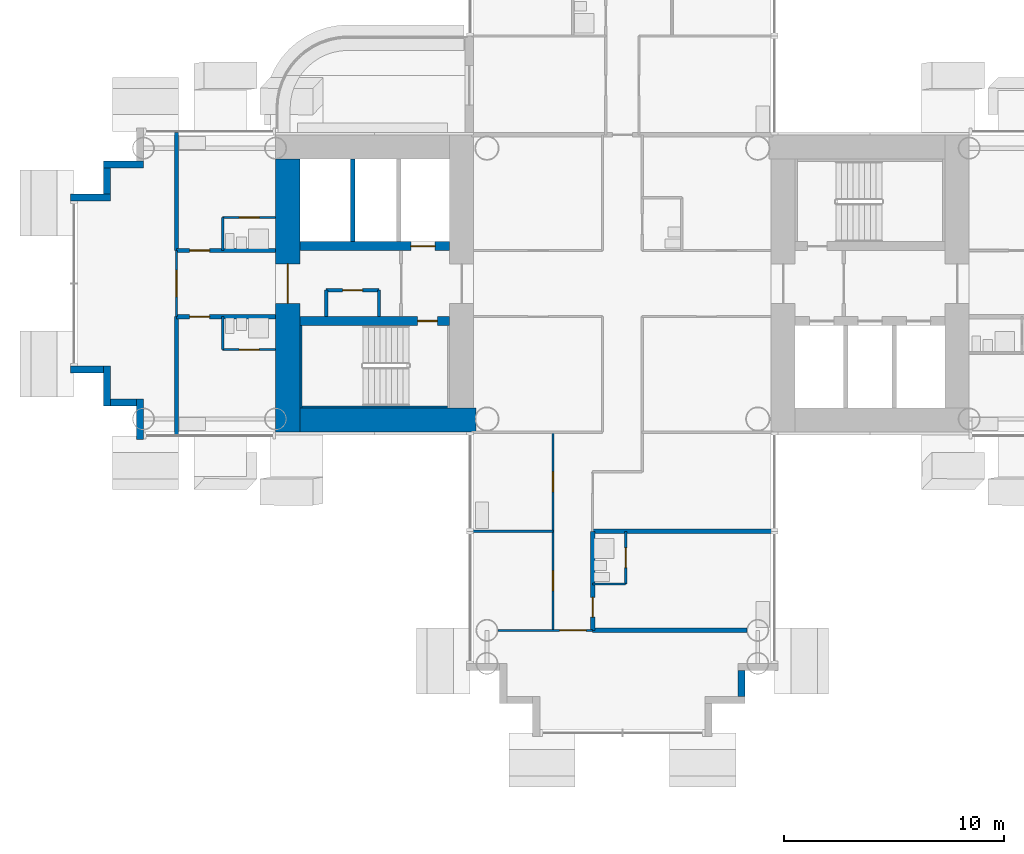
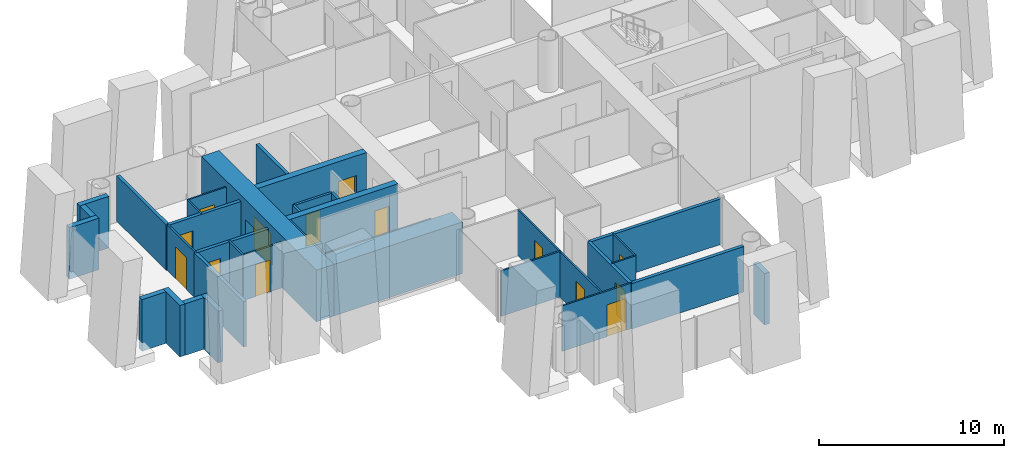
# One storey, part 10 of 25: 35 walls, 14 doors, 14 openings.
"""IFC4 building model written with IfcOpenShell, lengths in metres."""

from ifc_helpers import new_model, si_unit, direction, frame, frame_2d, origin, place, context, subcontext, project, spatial, rectangle, extrude, material, layer, layer_set, type_object, element, fill, save


model = new_model("IFC4")

# Units and contexts
model_context = context("Model", 3, precision=1e-05, world=origin(), true_north=direction((0.0, 1.0)))
body_context = subcontext(model_context, "Body", "Model", "MODEL_VIEW")
ifc_project = project(units=[si_unit("LENGTHUNIT", "METRE"), si_unit("AREAUNIT", "SQUARE_METRE"), si_unit("VOLUMEUNIT", "CUBIC_METRE"), si_unit("PLANEANGLEUNIT", "RADIAN"), si_unit("MASSUNIT", "GRAM", prefix="KILO")], contexts=[model_context])

# Site, building, storey
site_placement = place(None, origin())
site = spatial("IfcSite", under=ifc_project, at=site_placement, CompositionType="ELEMENT")
building_placement = place(site_placement, origin())
building = spatial("IfcBuilding", under=site, at=building_placement, Name="Ipe Terrace Towers", CompositionType="ELEMENT")
storey_placement = place(building_placement, frame((0.0, 0.0, 31.300048828125)))
storey = spatial("IfcBuildingStorey", under=building, at=storey_placement, Name="L07", CompositionType="ELEMENT", Elevation=31.300048828125)

# Walls
ifc_material_1 = material(Name="Concrete C40/50 with buff precast cladding", Category="concrete")
ifc_layer_1 = layer(ifc_material_1, 0.320068359375)
ifc_layer_set_1 = layer_set([ifc_layer_1], Name="BUFF CLADDING WALL 320")
wall_type_1 = type_object("IfcWallType", Name="BUFF CLADDING WALL 320", PredefinedType="STANDARD", material=ifc_layer_set_1)
wall_1_placement = place(storey_placement, frame((-61.070068359375, -3.909912109375, -0.300048828125), z_axis=(0.0, 0.0, 1.0), x_axis=(1.0, 0.0, 0.0)))
element("IfcWall", 1, at=wall_1_placement, inside=storey, type_object=wall_type_1, Name="T1-W-L07-00a wall", PredefinedType="STANDARD", context=body_context, shape_type="SweptSolid", body=[
    extrude(rectangle(XDim=1.5, YDim=0.320068359375, at=frame_2d((0.75, 0.0))), origin(), (0.0, 0.0, 1.0), 3.39990234375),
])
wall_2_placement = place(storey_placement, frame((-59.409912109375, -3.75, -0.300048828125), z_axis=(0.0, 0.0, 1.0), x_axis=(0.0, -1.0, 0.0)))
element("IfcWall", 2, at=wall_2_placement, inside=storey, type_object=wall_type_1, Name="T1-W-L07-01a wall", PredefinedType="STANDARD", context=body_context, shape_type="SweptSolid", body=[
    extrude(rectangle(XDim=1.820068359375, YDim=0.320068359375, at=frame_2d((0.91015625, 0.0))), origin(), (0.0, 0.0, 1.0), 3.39990234375),
])
wall_3_placement = place(storey_placement, frame((-59.25, -5.409912109375, -0.300048828125), z_axis=(0.0, 0.0, 1.0), x_axis=(1.0, 0.0, 0.0)))
element("IfcWall", 3, at=wall_3_placement, inside=storey, type_object=wall_type_1, Name="T1-W-L07-02a wall", PredefinedType="STANDARD", context=body_context, shape_type="SweptSolid", body=[
    extrude(rectangle(XDim=1.179931640625, YDim=0.320068359375, at=frame_2d((0.58984375, 0.0))), origin(), (0.0, 0.0, 1.0), 3.39990234375),
])
wall_4_placement = place(storey_placement, frame((-57.909912109375, -5.25, -0.300048828125), z_axis=(0.0, 0.0, 1.0), x_axis=(0.0, -1.0, 0.0)))
element("IfcWall", 4, at=wall_4_placement, inside=storey, type_object=wall_type_1, Name="T1-W-L07-03a wall", PredefinedType="STANDARD", context=body_context, shape_type="SweptSolid", body=[
    extrude(rectangle(XDim=1.820068359375, YDim=0.320068359375, at=frame_2d((0.91015625, 0.0))), origin(), (0.0, 0.0, 1.0), 3.39990234375),
])
wall_5_placement = place(storey_placement, frame((-30.590087890625, -18.75, -0.300048828125), z_axis=(0.0, 0.0, 1.0), x_axis=(0.0, 1.0, 0.0)))
element("IfcWall", 5, at=wall_5_placement, inside=storey, type_object=wall_type_1, Name="T1-W-L07-15a wall", PredefinedType="STANDARD", context=body_context, shape_type="SweptSolid", body=[
    extrude(rectangle(XDim=1.179931640625, YDim=0.320068359375, at=frame_2d((0.58984375, 0.0))), origin(), (0.0, 0.0, 1.0), 3.39990234375),
])
wall_6_placement = place(storey_placement, frame((-57.75, 5.409912109375, -0.300048828125), z_axis=(0.0, 0.0, 1.0), x_axis=(-1.0, 0.0, 0.0)))
element("IfcWall", 6, at=wall_6_placement, inside=storey, type_object=wall_type_1, Name="T1-W-L07-48a wall", PredefinedType="STANDARD", context=body_context, shape_type="SweptSolid", body=[
    extrude(rectangle(XDim=1.820068359375, YDim=0.320068359375, at=frame_2d((0.91015625, 0.0))), origin(), (0.0, 0.0, 1.0), 3.39990234375),
])
wall_7_placement = place(storey_placement, frame((-59.409912109375, 5.25, -0.300048828125), z_axis=(0.0, 0.0, 1.0), x_axis=(0.0, -1.0, 0.0)))
element("IfcWall", 7, at=wall_7_placement, inside=storey, type_object=wall_type_1, Name="T1-W-L07-49a wall", PredefinedType="STANDARD", context=body_context, shape_type="SweptSolid", body=[
    extrude(rectangle(XDim=1.179931640625, YDim=0.320068359375, at=frame_2d((0.58984375, 0.0))), origin(), (0.0, 0.0, 1.0), 3.39990234375),
])
wall_8_placement = place(storey_placement, frame((-59.25, 3.909912109375, -0.300048828125), z_axis=(0.0, 0.0, 1.0), x_axis=(-1.0, 0.0, 0.0)))
element("IfcWall", 8, at=wall_8_placement, inside=storey, type_object=wall_type_1, Name="T1-W-L07-50a wall", PredefinedType="STANDARD", context=body_context, shape_type="SweptSolid", body=[
    extrude(rectangle(XDim=1.820068359375, YDim=0.320068359375, at=frame_2d((0.91015625, 0.0))), origin(), (0.0, 0.0, 1.0), 3.39990234375),
])

# Wall, opening, door
ifc_material_2 = material(Name="Gypsum board partition", Category="plasterboard")
ifc_layer_2 = layer(ifc_material_2, 0.10009765625)
ifc_layer_set_2 = layer_set([ifc_layer_2], Name="Gypsum board partition 100 mm")
wall_type_2 = type_object("IfcWallType", Name="Gypsum board partition 100 mm", PredefinedType="PARTITIONING", material=ifc_layer_set_2)
wall_9_placement = place(storey_placement, frame((-56.25, -1.5, 0.0), z_axis=(0.0, 0.0, 1.0), x_axis=(0.0, 1.0, 0.0)))
wall_9 = element("IfcWall", 9, at=wall_9_placement, inside=storey, type_object=wall_type_2, Name="Gypsum board partition T1 L07 W01", PredefinedType="PARTITIONING", context=body_context, shape_type="SweptSolid", body=[
    extrude(rectangle(XDim=3.0, YDim=0.10009765625, at=frame_2d((1.5, 0.0))), origin(), (0.0, 0.0, 1.0), 3.0),
])
opening_1_placement = place(wall_9_placement, frame((0.89990234375, 0.0, 0.0)))
opening_1 = element("IfcOpeningElement", 10, at=opening_1_placement, cuts=wall_9, Name="Opening T1-Z1A-31", PredefinedType="OPENING", context=body_context, shape_type="SweptSolid", body=[
    extrude(rectangle(XDim=1.199951171875, YDim=2.10009765625, at=frame_2d((0.60009765625, 1.050048828125))), frame((0.0, 0.06005859375, 0.0), z_axis=(0.0, -1.0, 0.0), x_axis=(1.0, 0.0, 0.0)), (0.0, 0.0, 1.0), 0.1201171875),
])
ifc_material_3 = material(Name="Timber door leaf", Category="wood")
door_type_1 = type_object("IfcDoorType", Name="Lounge door 1200 x 2100", OperationType="NOTDEFINED", PredefinedType="DOOR", material=ifc_material_3)
door_1_placement = place(opening_1_placement, origin())
door_1 = element("IfcDoor", 11, at=door_1_placement, inside=storey, type_object=door_type_1, Name="Lounge door T1-Z1A-31", OperationType="SINGLE_SWING_LEFT", OverallHeight=2.10009765625, OverallWidth=1.199951171875, PredefinedType="DOOR", context=body_context, shape_type="SweptSolid", body=[
    extrude(rectangle(XDim=1.199951171875, YDim=2.10009765625, at=frame_2d((0.60009765625, 1.050048828125))), frame((0.0, 0.02490234375, 0.0), z_axis=(0.0, -1.0, 0.0), x_axis=(1.0, 0.0, 0.0)), (0.0, 0.0, 1.0), 0.050048828125),
])
fill(opening_1, door_1)

# Walls
for number, where, z_axis, x_axis, name in (
    (12, (-54.14990234375, -3.0, 0.0), (0.0, 0.0, 1.0), (0.0, 1.0, 0.0), "Gypsum board partition T1 L07 W04"),
    (13, (-54.14990234375, 1.5, 0.0), (0.0, 0.0, 1.0), (0.0, 1.0, 0.0), "Gypsum board partition T1 L07 W05"),
):
    element("IfcWall", number, at=place(storey_placement, frame(where, z_axis=z_axis, x_axis=x_axis)), inside=storey, type_object=wall_type_2, Name=name, PredefinedType="PARTITIONING", context=body_context, shape_type="SweptSolid", body=[
        extrude(rectangle(XDim=1.5, YDim=0.10009765625, at=frame_2d((0.75, 0.0))), origin(), (0.0, 0.0, 1.0), 3.0),
    ])

# Wall, openings, doors
wall_10_placement = place(storey_placement, frame((-39.14990234375, -15.75, 0.0), z_axis=(0.0, 0.0, 1.0), x_axis=(0.0, 1.0, 0.0)))
wall_10 = element("IfcWall", 14, at=wall_10_placement, inside=storey, type_object=wall_type_2, Name="Gypsum board partition T1 L07 W06", PredefinedType="PARTITIONING", context=body_context, shape_type="SweptSolid", body=[
    extrude(rectangle(XDim=9.0, YDim=0.10009765625, at=frame_2d((4.5, 0.0))), origin(), (0.0, 0.0, 1.0), 3.0),
])
opening_2_placement = place(wall_10_placement, frame((6.300048828125, 0.0, 0.0)))
opening_2 = element("IfcOpeningElement", 15, at=opening_2_placement, cuts=wall_10, Name="Opening T1-Z1A-19", PredefinedType="OPENING", context=body_context, shape_type="SweptSolid", body=[
    extrude(rectangle(XDim=0.89990234375, YDim=2.10009765625, at=frame_2d((0.449951171875, 1.050048828125))), frame((0.0, 0.06005859375, 0.0), z_axis=(0.0, -1.0, 0.0), x_axis=(1.0, 0.0, 0.0)), (0.0, 0.0, 1.0), 0.1201171875),
])
opening_3_placement = place(wall_10_placement, frame((1.800048828125, 0.0, 0.0)))
opening_3 = element("IfcOpeningElement", 16, at=opening_3_placement, cuts=wall_10, Name="Opening T1-Z1A-20", PredefinedType="OPENING", context=body_context, shape_type="SweptSolid", body=[
    extrude(rectangle(XDim=0.89990234375, YDim=2.10009765625, at=frame_2d((0.449951171875, 1.050048828125))), frame((0.0, 0.06005859375, 0.0), z_axis=(0.0, -1.0, 0.0), x_axis=(1.0, 0.0, 0.0)), (0.0, 0.0, 1.0), 0.1201171875),
])
ifc_material_4 = material(Name="Timber door leaf", Category="wood")
door_type_2 = type_object("IfcDoorType", Name="Lounge door 900 x 2100", OperationType="NOTDEFINED", PredefinedType="DOOR", material=ifc_material_4)
door_2_placement = place(opening_2_placement, origin())
door_2 = element("IfcDoor", 17, at=door_2_placement, inside=storey, type_object=door_type_2, Name="Lounge door T1-Z1A-19", OperationType="SINGLE_SWING_LEFT", OverallHeight=2.10009765625, OverallWidth=0.89990234375, PredefinedType="DOOR", context=body_context, shape_type="SweptSolid", body=[
    extrude(rectangle(XDim=0.89990234375, YDim=2.10009765625, at=frame_2d((0.449951171875, 1.050048828125))), frame((0.0, 0.02490234375, 0.0), z_axis=(0.0, -1.0, 0.0), x_axis=(1.0, 0.0, 0.0)), (0.0, 0.0, 1.0), 0.050048828125),
])
fill(opening_2, door_2)
door_3_placement = place(opening_3_placement, origin())
door_3 = element("IfcDoor", 18, at=door_3_placement, inside=storey, type_object=door_type_2, Name="Lounge door T1-Z1A-20", OperationType="SINGLE_SWING_RIGHT", OverallHeight=2.10009765625, OverallWidth=0.89990234375, PredefinedType="DOOR", context=body_context, shape_type="SweptSolid", body=[
    extrude(rectangle(XDim=0.89990234375, YDim=2.10009765625, at=frame_2d((0.449951171875, 1.050048828125))), frame((0.0, 0.02490234375, 0.0), z_axis=(0.0, -1.0, 0.0), x_axis=(1.0, 0.0, 0.0)), (0.0, 0.0, 1.0), 0.050048828125),
])
fill(opening_3, door_3)

# Wall, opening, door
wall_11_placement = place(storey_placement, frame((-35.85009765625, -13.64990234375, 0.0), z_axis=(0.0, 0.0, 1.0), x_axis=(0.0, 1.0, 0.0)))
wall_11 = element("IfcWall", 19, at=wall_11_placement, inside=storey, type_object=wall_type_2, Name="Gypsum board partition T1 L07 W13", PredefinedType="PARTITIONING", context=body_context, shape_type="SweptSolid", body=[
    extrude(rectangle(XDim=2.39990234375, YDim=0.10009765625, at=frame_2d((1.199951171875, 0.0))), origin(), (0.0, 0.0, 1.0), 3.0),
])
opening_4_placement = place(wall_11_placement, frame((0.75, 0.0, 0.0)))
opening_4 = element("IfcOpeningElement", 20, at=opening_4_placement, cuts=wall_11, Name="Opening T1-Z1A-18", PredefinedType="OPENING", context=body_context, shape_type="SweptSolid", body=[
    extrude(rectangle(XDim=0.89990234375, YDim=2.10009765625, at=frame_2d((0.449951171875, 1.050048828125))), frame((0.0, 0.06005859375, 0.0), z_axis=(0.0, -1.0, 0.0), x_axis=(1.0, 0.0, 0.0)), (0.0, 0.0, 1.0), 0.1201171875),
])
ifc_material_5 = material(Name="Timber door leaf", Category="wood")
door_type_3 = type_object("IfcDoorType", Name="Bathroom door 900 x 2100", OperationType="NOTDEFINED", PredefinedType="DOOR", material=ifc_material_5)
door_4_placement = place(opening_4_placement, origin())
door_4 = element("IfcDoor", 21, at=door_4_placement, inside=storey, type_object=door_type_3, Name="Bathroom door T1-Z1A-18", OperationType="SINGLE_SWING_LEFT", OverallHeight=2.10009765625, OverallWidth=0.89990234375, PredefinedType="DOOR", context=body_context, shape_type="SweptSolid", body=[
    extrude(rectangle(XDim=0.89990234375, YDim=2.10009765625, at=frame_2d((0.449951171875, 1.050048828125))), frame((0.0, 0.02490234375, 0.0), z_axis=(0.0, -1.0, 0.0), x_axis=(1.0, 0.0, 0.0)), (0.0, 0.0, 1.0), 0.050048828125),
])
fill(opening_4, door_4)

wall_12_placement = place(storey_placement, frame((-41.64990234375, -15.75, 0.0), z_axis=(0.0, 0.0, 1.0), x_axis=(1.0, 0.0, 0.0)))
wall_12 = element("IfcWall", 22, at=wall_12_placement, inside=storey, type_object=wall_type_2, Name="Gypsum board partition T1 L07 W22", PredefinedType="PARTITIONING", context=body_context, shape_type="SweptSolid", body=[
    extrude(rectangle(XDim=4.2998046875, YDim=0.10009765625, at=frame_2d((2.14990234375, 0.0))), origin(), (0.0, 0.0, 1.0), 3.0),
])
opening_5_placement = place(wall_12_placement, frame((2.800048828125, 0.0, 0.0)))
opening_5 = element("IfcOpeningElement", 23, at=opening_5_placement, cuts=wall_12, Name="Opening T1-Z1A-21", PredefinedType="OPENING", context=body_context, shape_type="SweptSolid", body=[
    extrude(rectangle(XDim=1.199951171875, YDim=2.10009765625, at=frame_2d((0.60009765625, 1.050048828125))), frame((0.0, 0.06005859375, 0.0), z_axis=(0.0, -1.0, 0.0), x_axis=(1.0, 0.0, 0.0)), (0.0, 0.0, 1.0), 0.1201171875),
])
door_5_placement = place(opening_5_placement, origin())
door_5 = element("IfcDoor", 24, at=door_5_placement, inside=storey, type_object=door_type_1, Name="Lounge door T1-Z1A-21", OperationType="SINGLE_SWING_RIGHT", OverallHeight=2.10009765625, OverallWidth=1.199951171875, PredefinedType="DOOR", context=body_context, shape_type="SweptSolid", body=[
    extrude(rectangle(XDim=1.199951171875, YDim=2.10009765625, at=frame_2d((0.60009765625, 1.050048828125))), frame((0.0, 0.02490234375, 0.0), z_axis=(0.0, -1.0, 0.0), x_axis=(1.0, 0.0, 0.0)), (0.0, 0.0, 1.0), 0.050048828125),
])
fill(opening_5, door_5)

# Walls
wall_13_placement = place(storey_placement, frame((-37.35009765625, -13.64990234375, 0.0), z_axis=(0.0, 0.0, 1.0), x_axis=(1.0, 0.0, 0.0)))
element("IfcWall", 25, at=wall_13_placement, inside=storey, type_object=wall_type_2, Name="Gypsum board partition T1 L07 W24", PredefinedType="PARTITIONING", context=body_context, shape_type="SweptSolid", body=[
    extrude(rectangle(XDim=1.5, YDim=0.10009765625, at=frame_2d((0.75, 0.0))), origin(), (0.0, 0.0, 1.0), 3.0),
])
wall_14_placement = place(storey_placement, frame((-42.85009765625, -11.25, 0.0), z_axis=(0.0, 0.0, 1.0), x_axis=(1.0, 0.0, 0.0)))
element("IfcWall", 26, at=wall_14_placement, inside=storey, type_object=wall_type_2, Name="Gypsum board partition T1 L07 W25", PredefinedType="PARTITIONING", context=body_context, shape_type="SweptSolid", body=[
    extrude(rectangle(XDim=3.7001953125, YDim=0.10009765625, at=frame_2d((1.85009765625, 0.0))), origin(), (0.0, 0.0, 1.0), 3.0),
])

# Wall, opening, door
wall_15_placement = place(storey_placement, frame((-54.14990234375, -3.0, 0.0), z_axis=(0.0, 0.0, 1.0), x_axis=(1.0, 0.0, 0.0)))
wall_15 = element("IfcWall", 27, at=wall_15_placement, inside=storey, type_object=wall_type_2, Name="Gypsum board partition T1 L07 W31", PredefinedType="PARTITIONING", context=body_context, shape_type="SweptSolid", body=[
    extrude(rectangle(XDim=2.39990234375, YDim=0.10009765625, at=frame_2d((1.199951171875, 0.0))), origin(), (0.0, 0.0, 1.0), 3.0),
])
opening_6_placement = place(wall_15_placement, frame((0.75, 0.0, 0.0)))
opening_6 = element("IfcOpeningElement", 28, at=opening_6_placement, cuts=wall_15, Name="Opening T1-Z1A-28", PredefinedType="OPENING", context=body_context, shape_type="SweptSolid", body=[
    extrude(rectangle(XDim=0.89990234375, YDim=2.10009765625, at=frame_2d((0.449951171875, 1.050048828125))), frame((0.0, 0.06005859375, 0.0), z_axis=(0.0, -1.0, 0.0), x_axis=(1.0, 0.0, 0.0)), (0.0, 0.0, 1.0), 0.1201171875),
])
door_6_placement = place(opening_6_placement, origin())
door_6 = element("IfcDoor", 29, at=door_6_placement, inside=storey, type_object=door_type_3, Name="Bathroom door T1-Z1A-28", OperationType="SINGLE_SWING_LEFT", OverallHeight=2.10009765625, OverallWidth=0.89990234375, PredefinedType="DOOR", context=body_context, shape_type="SweptSolid", body=[
    extrude(rectangle(XDim=0.89990234375, YDim=2.10009765625, at=frame_2d((0.449951171875, 1.050048828125))), frame((0.0, 0.02490234375, 0.0), z_axis=(0.0, -1.0, 0.0), x_axis=(1.0, 0.0, 0.0)), (0.0, 0.0, 1.0), 0.050048828125),
])
fill(opening_6, door_6)

wall_16_placement = place(storey_placement, frame((-54.14990234375, 3.0, 0.0), z_axis=(0.0, 0.0, 1.0), x_axis=(1.0, 0.0, 0.0)))
wall_16 = element("IfcWall", 30, at=wall_16_placement, inside=storey, type_object=wall_type_2, Name="Gypsum board partition T1 L07 W40", PredefinedType="PARTITIONING", context=body_context, shape_type="SweptSolid", body=[
    extrude(rectangle(XDim=2.39990234375, YDim=0.10009765625, at=frame_2d((1.199951171875, 0.0))), origin(), (0.0, 0.0, 1.0), 3.0),
])
opening_7_placement = place(wall_16_placement, frame((0.75, 0.0, 0.0)))
opening_7 = element("IfcOpeningElement", 31, at=opening_7_placement, cuts=wall_16, Name="Opening T1-Z1A-30", PredefinedType="OPENING", context=body_context, shape_type="SweptSolid", body=[
    extrude(rectangle(XDim=0.89990234375, YDim=2.10009765625, at=frame_2d((0.449951171875, 1.050048828125))), frame((0.0, 0.06005859375, 0.0), z_axis=(0.0, -1.0, 0.0), x_axis=(1.0, 0.0, 0.0)), (0.0, 0.0, 1.0), 0.1201171875),
])
door_7_placement = place(opening_7_placement, origin())
door_7 = element("IfcDoor", 32, at=door_7_placement, inside=storey, type_object=door_type_3, Name="Bathroom door T1-Z1A-30", OperationType="SINGLE_SWING_RIGHT", OverallHeight=2.10009765625, OverallWidth=0.89990234375, PredefinedType="DOOR", context=body_context, shape_type="SweptSolid", body=[
    extrude(rectangle(XDim=0.89990234375, YDim=2.10009765625, at=frame_2d((0.449951171875, 1.050048828125))), frame((0.0, 0.02490234375, 0.0), z_axis=(0.0, -1.0, 0.0), x_axis=(1.0, 0.0, 0.0)), (0.0, 0.0, 1.0), 0.050048828125),
])
fill(opening_7, door_7)

ifc_material_6 = material(Name="Gypsum board partition", Category="plasterboard")
ifc_layer_3 = layer(ifc_material_6, 0.14990234375)
ifc_layer_set_3 = layer_set([ifc_layer_3], Name="Gypsum board partition 150 mm")
wall_type_3 = type_object("IfcWallType", Name="Gypsum board partition 150 mm", PredefinedType="PARTITIONING", material=ifc_layer_set_3)
wall_17_placement = place(storey_placement, frame((-47.050048828125, -0.300048828125, 0.0), z_axis=(0.0, 0.0, 1.0), x_axis=(-1.0, 0.0, 0.0)))
wall_17 = element("IfcWall", 33, at=wall_17_placement, inside=storey, type_object=wall_type_3, Name="Gypsum board partition T1 L07 t1c2-cup-n-f", PredefinedType="PARTITIONING", context=body_context, shape_type="SweptSolid", body=[
    extrude(rectangle(XDim=2.39990234375, YDim=0.14990234375, at=frame_2d((1.199951171875, 0.0))), origin(), (0.0, 0.0, 1.0), 3.0),
])
opening_8_placement = place(wall_17_placement, frame((0.75, 0.0, 0.0)))
opening_8 = element("IfcOpeningElement", 34, at=opening_8_placement, cuts=wall_17, Name="Opening T1C2-SR", PredefinedType="OPENING", context=body_context, shape_type="SweptSolid", body=[
    extrude(rectangle(XDim=0.89990234375, YDim=2.10009765625, at=frame_2d((0.449951171875, 1.050048828125))), frame((0.0, 0.0849609375, 0.0), z_axis=(0.0, -1.0, 0.0), x_axis=(1.0, 0.0, 0.0)), (0.0, 0.0, 1.0), 0.169921875),
])
ifc_material_7 = material(Name="Fire-rated timber door leaf", Category="wood")
door_type_4 = type_object("IfcDoorType", Name="Service door 900 x 2100 FD60", OperationType="NOTDEFINED", PredefinedType="DOOR", material=ifc_material_7)
door_8_placement = place(opening_8_placement, origin())
door_8 = element("IfcDoor", 35, at=door_8_placement, inside=storey, type_object=door_type_4, Name="Service door T1C2-SR", OperationType="SINGLE_SWING_LEFT", OverallHeight=2.10009765625, OverallWidth=0.89990234375, PredefinedType="DOOR", context=body_context, shape_type="SweptSolid", body=[
    extrude(rectangle(XDim=0.89990234375, YDim=2.10009765625, at=frame_2d((0.449951171875, 1.050048828125))), frame((0.0, 0.02490234375, 0.0), z_axis=(0.0, -1.0, 0.0), x_axis=(1.0, 0.0, 0.0)), (0.0, 0.0, 1.0), 0.050048828125),
])
fill(opening_8, door_8)

# Walls
for number, where, z_axis, x_axis, name in (
    (36, (-47.050048828125, -0.300048828125, 0.0), (0.0, 0.0, 1.0), (0.0, -1.0, 0.0), "Gypsum board partition T1 L07 t1c2-cup-n-a"),
    (37, (-49.449951171875, -0.300048828125, 0.0), (0.0, 0.0, 1.0), (0.0, -1.0, 0.0), "Gypsum board partition T1 L07 t1c2-cup-n-b"),
):
    element("IfcWall", number, at=place(storey_placement, frame(where, z_axis=z_axis, x_axis=x_axis)), inside=storey, type_object=wall_type_3, Name=name, PredefinedType="PARTITIONING", context=body_context, shape_type="SweptSolid", body=[
        extrude(rectangle(XDim=1.199951171875, YDim=0.14990234375, at=frame_2d((0.60009765625, 0.0))), origin(), (0.0, 0.0, 1.0), 3.0),
    ])
ifc_material_8 = material(Name="Gypsum board party wall", Category="plasterboard")
ifc_layer_4 = layer(ifc_material_8, 0.199951171875)
ifc_layer_set_4 = layer_set([ifc_layer_4], Name="Gypsum board party wall 200 mm")
wall_type_4 = type_object("IfcWallType", Name="Gypsum board party wall 200 mm", PredefinedType="SOLIDWALL", material=ifc_layer_set_4)
wall_18_placement = place(storey_placement, frame((-48.25, 5.64990234375, 0.0), z_axis=(0.0, 0.0, 1.0), x_axis=(0.0, -1.0, 0.0)))
element("IfcWall", 38, at=wall_18_placement, inside=storey, type_object=wall_type_4, Name="Gypsum board party wall T1 L07 t1c2-shaft-div2", PredefinedType="SOLIDWALL", context=body_context, shape_type="SweptSolid", body=[
    extrude(rectangle(XDim=3.75, YDim=0.199951171875, at=frame_2d((1.875, 0.0))), origin(), (0.0, 0.0, 1.0), 3.0),
])
for number, where, z_axis, x_axis, name in (
    (39, (-56.25, -6.85009765625, 0.0), (0.0, 0.0, 1.0), (0.0, 1.0, 0.0), "Gypsum board party wall T1 L07 W02"),
    (40, (-56.25, 1.5, 0.0), (0.0, 0.0, 1.0), (0.0, 1.0, 0.0), "Gypsum board party wall T1 L07 W03"),
):
    element("IfcWall", number, at=place(storey_placement, frame(where, z_axis=z_axis, x_axis=x_axis)), inside=storey, type_object=wall_type_4, Name=name, PredefinedType="SOLIDWALL", context=body_context, shape_type="SweptSolid", body=[
        extrude(rectangle(XDim=5.35009765625, YDim=0.199951171875, at=frame_2d((2.675048828125, 0.0))), origin(), (0.0, 0.0, 1.0), 3.0),
    ])

# Wall, opening, door
wall_19_placement = place(storey_placement, frame((-37.35009765625, -15.75, 0.0), z_axis=(0.0, 0.0, 1.0), x_axis=(0.0, 1.0, 0.0)))
wall_19 = element("IfcWall", 41, at=wall_19_placement, inside=storey, type_object=wall_type_4, Name="Gypsum board party wall T1 L07 W09", PredefinedType="SOLIDWALL", context=body_context, shape_type="SweptSolid", body=[
    extrude(rectangle(XDim=4.5, YDim=0.199951171875, at=frame_2d((2.25, 0.0))), origin(), (0.0, 0.0, 1.0), 3.0),
])
opening_9_placement = place(wall_19_placement, frame((0.60009765625, 0.0, 0.0)))
opening_9 = element("IfcOpeningElement", 42, at=opening_9_placement, cuts=wall_19, Name="Opening T1-Z1A-17", PredefinedType="OPENING", context=body_context, shape_type="SweptSolid", body=[
    extrude(rectangle(XDim=0.89990234375, YDim=2.10009765625, at=frame_2d((0.449951171875, 1.050048828125))), frame((0.0, 0.10986328125, 0.0), z_axis=(0.0, -1.0, 0.0), x_axis=(1.0, 0.0, 0.0)), (0.0, 0.0, 1.0), 0.219970703125),
])
ifc_material_9 = material(Name="Fire-rated timber door leaf", Category="wood")
door_type_5 = type_object("IfcDoorType", Name="Flat entrance door 900 x 2100 FD30S", OperationType="NOTDEFINED", PredefinedType="DOOR", material=ifc_material_9)
door_9_placement = place(opening_9_placement, origin())
door_9 = element("IfcDoor", 43, at=door_9_placement, inside=storey, type_object=door_type_5, Name="Flat entrance door T1-Z1A-17", OperationType="SINGLE_SWING_LEFT", OverallHeight=2.10009765625, OverallWidth=0.89990234375, PredefinedType="DOOR", context=body_context, shape_type="SweptSolid", body=[
    extrude(rectangle(XDim=0.89990234375, YDim=2.10009765625, at=frame_2d((0.449951171875, 1.050048828125))), frame((0.0, 0.02490234375, 0.0), z_axis=(0.0, -1.0, 0.0), x_axis=(1.0, 0.0, 0.0)), (0.0, 0.0, 1.0), 0.050048828125),
])
fill(opening_9, door_9)

# Walls
wall_20_placement = place(storey_placement, frame((-37.35009765625, -15.75, 0.0), z_axis=(0.0, 0.0, 1.0), x_axis=(1.0, 0.0, 0.0)))
element("IfcWall", 44, at=wall_20_placement, inside=storey, type_object=wall_type_4, Name="Gypsum board party wall T1 L07 W23", PredefinedType="SOLIDWALL", context=body_context, shape_type="SweptSolid", body=[
    extrude(rectangle(XDim=7.0, YDim=0.199951171875, at=frame_2d((3.5, 0.0))), origin(), (0.0, 0.0, 1.0), 3.0),
])
wall_21_placement = place(storey_placement, frame((-37.35009765625, -11.25, 0.0), z_axis=(0.0, 0.0, 1.0), x_axis=(1.0, 0.0, 0.0)))
element("IfcWall", 45, at=wall_21_placement, inside=storey, type_object=wall_type_4, Name="Gypsum board party wall T1 L07 W26", PredefinedType="SOLIDWALL", context=body_context, shape_type="SweptSolid", body=[
    extrude(rectangle(XDim=8.2001953125, YDim=0.199951171875, at=frame_2d((4.10009765625, 0.0))), origin(), (0.0, 0.0, 1.0), 3.0),
])

# Wall, opening, door
wall_22_placement = place(storey_placement, frame((-56.25, -1.5, 0.0), z_axis=(0.0, 0.0, 1.0), x_axis=(1.0, 0.0, 0.0)))
wall_22 = element("IfcWall", 46, at=wall_22_placement, inside=storey, type_object=wall_type_4, Name="Gypsum board party wall T1 L07 W34", PredefinedType="SOLIDWALL", context=body_context, shape_type="SweptSolid", body=[
    extrude(rectangle(XDim=4.5, YDim=0.199951171875, at=frame_2d((2.25, 0.0))), origin(), (0.0, 0.0, 1.0), 3.0),
])
opening_10_placement = place(wall_22_placement, frame((0.60009765625, 0.0, 0.0)))
opening_10 = element("IfcOpeningElement", 47, at=opening_10_placement, cuts=wall_22, Name="Opening T1-Z1A-27", PredefinedType="OPENING", context=body_context, shape_type="SweptSolid", body=[
    extrude(rectangle(XDim=0.89990234375, YDim=2.10009765625, at=frame_2d((0.449951171875, 1.050048828125))), frame((0.0, 0.10986328125, 0.0), z_axis=(0.0, -1.0, 0.0), x_axis=(1.0, 0.0, 0.0)), (0.0, 0.0, 1.0), 0.219970703125),
])
door_10_placement = place(opening_10_placement, origin())
door_10 = element("IfcDoor", 48, at=door_10_placement, inside=storey, type_object=door_type_5, Name="Flat entrance door T1-Z1A-27", OperationType="SINGLE_SWING_LEFT", OverallHeight=2.10009765625, OverallWidth=0.89990234375, PredefinedType="DOOR", context=body_context, shape_type="SweptSolid", body=[
    extrude(rectangle(XDim=0.89990234375, YDim=2.10009765625, at=frame_2d((0.449951171875, 1.050048828125))), frame((0.0, 0.02490234375, 0.0), z_axis=(0.0, -1.0, 0.0), x_axis=(1.0, 0.0, 0.0)), (0.0, 0.0, 1.0), 0.050048828125),
])
fill(opening_10, door_10)

wall_23_placement = place(storey_placement, frame((-56.25, 1.5, 0.0), z_axis=(0.0, 0.0, 1.0), x_axis=(1.0, 0.0, 0.0)))
wall_23 = element("IfcWall", 49, at=wall_23_placement, inside=storey, type_object=wall_type_4, Name="Gypsum board party wall T1 L07 W39", PredefinedType="SOLIDWALL", context=body_context, shape_type="SweptSolid", body=[
    extrude(rectangle(XDim=4.5, YDim=0.199951171875, at=frame_2d((2.25, 0.0))), origin(), (0.0, 0.0, 1.0), 3.0),
])
opening_11_placement = place(wall_23_placement, frame((0.60009765625, 0.0, 0.0)))
opening_11 = element("IfcOpeningElement", 50, at=opening_11_placement, cuts=wall_23, Name="Opening T1-Z1A-29", PredefinedType="OPENING", context=body_context, shape_type="SweptSolid", body=[
    extrude(rectangle(XDim=0.89990234375, YDim=2.10009765625, at=frame_2d((0.449951171875, 1.050048828125))), frame((0.0, 0.10986328125, 0.0), z_axis=(0.0, -1.0, 0.0), x_axis=(1.0, 0.0, 0.0)), (0.0, 0.0, 1.0), 0.219970703125),
])
door_11_placement = place(opening_11_placement, origin())
door_11 = element("IfcDoor", 51, at=door_11_placement, inside=storey, type_object=door_type_5, Name="Flat entrance door T1-Z1A-29", OperationType="SINGLE_SWING_RIGHT", OverallHeight=2.10009765625, OverallWidth=0.89990234375, PredefinedType="DOOR", context=body_context, shape_type="SweptSolid", body=[
    extrude(rectangle(XDim=0.89990234375, YDim=2.10009765625, at=frame_2d((0.449951171875, 1.050048828125))), frame((0.0, 0.02490234375, 0.0), z_axis=(0.0, -1.0, 0.0), x_axis=(1.0, 0.0, 0.0)), (0.0, 0.0, 1.0), 0.050048828125),
])
fill(opening_11, door_11)

# Walls
ifc_material_10 = material(Name="Concrete C60/75", Category="concrete")
ifc_layer_5 = layer(ifc_material_10, 0.10009765625)
ifc_layer_set_5 = layer_set([ifc_layer_5], Name="RW100 CORE INFILL WALL 100 C60-75")
wall_type_5 = type_object("IfcWallType", Name="RW100 CORE INFILL WALL 100 C60-75", PredefinedType="SHEAR", material=ifc_layer_set_5)
wall_24_placement = place(storey_placement, frame((-50.60009765625, -1.89990234375, 0.0), z_axis=(0.0, 0.0, 1.0), x_axis=(0.0, -1.0, 0.0)))
element("IfcWall", 52, at=wall_24_placement, inside=storey, type_object=wall_type_5, Name="Core infill wall T1-C2-far", PredefinedType="SHEAR", context=body_context, shape_type="SweptSolid", body=[
    extrude(rectangle(XDim=3.75, YDim=0.10009765625, at=frame_2d((1.875, 0.0))), origin(), (0.0, 0.0, 1.0), 3.39990234375),
])
wall_25_placement = place(storey_placement, frame((-43.949951171875, -5.60009765625, 0.0), z_axis=(0.0, 0.0, 1.0), x_axis=(-1.0, 0.0, 0.0)))
element("IfcWall", 53, at=wall_25_placement, inside=storey, type_object=wall_type_5, Name="Core infill wall T1-C2-back", PredefinedType="SHEAR", context=body_context, shape_type="SweptSolid", body=[
    extrude(rectangle(XDim=6.60009765625, YDim=0.10009765625, at=frame_2d((3.300048828125, 0.0))), origin(), (0.0, 0.0, 1.0), 3.39990234375),
])
ifc_material_11 = material(Name="Concrete C60/75", Category="concrete")
ifc_layer_6 = layer(ifc_material_11, 1.10009765625)
ifc_layer_set_6 = layer_set([ifc_layer_6], Name="RW1100 CORE WALL 1100 C60-75")
wall_type_6 = type_object("IfcWallType", Name="RW1100 CORE WALL 1100 C60-75", PredefinedType="SHEAR", material=ifc_layer_set_6)
wall_26_placement = place(storey_placement, frame((-50.64990234375, -6.199951171875, 0.0), z_axis=(0.0, 0.0, 1.0), x_axis=(1.0, 0.0, 0.0)))
element("IfcWall", 54, at=wall_26_placement, inside=storey, type_object=wall_type_6, Name="Core wall T1-C2-Z1-W01", PredefinedType="SHEAR", context=body_context, shape_type="SweptSolid", body=[
    extrude(rectangle(XDim=7.997802734375, YDim=1.10009765625, at=frame_2d((3.9990234375, 0.0))), origin(), (0.0, 0.0, 1.0), 3.39990234375),
])

# Wall, opening, door
wall_27_placement = place(storey_placement, frame((-51.199951171875, 5.64990234375, 0.0), z_axis=(0.0, 0.0, 1.0), x_axis=(0.0, -1.0, 0.0)))
wall_27 = element("IfcWall", 55, at=wall_27_placement, inside=storey, type_object=wall_type_6, Name="Core wall T1-C2-Z1-W04", PredefinedType="SHEAR", context=body_context, shape_type="SweptSolid", body=[
    extrude(rectangle(XDim=12.39990234375, YDim=1.10009765625, at=frame_2d((6.199951171875, 0.0))), origin(), (0.0, 0.0, 1.0), 3.39990234375),
])
opening_12_placement = place(wall_27_placement, frame((4.75, 0.0, 0.0)))
opening_12 = element("IfcOpeningElement", 56, at=opening_12_placement, cuts=wall_27, Name="Opening T1C2-FD", PredefinedType="OPENING", context=body_context, shape_type="SweptSolid", body=[
    extrude(rectangle(XDim=1.800048828125, YDim=2.10009765625, at=frame_2d((0.89990234375, 1.050048828125))), frame((0.0, 0.56005859375, 0.0), z_axis=(0.0, -1.0, 0.0), x_axis=(1.0, 0.0, 0.0)), (0.0, 0.0, 1.0), 1.1201171875),
])
ifc_material_12 = material(Name="Fire-rated timber door leaf", Category="wood")
door_type_6 = type_object("IfcDoorType", Name="Fire door 1800 x 2100 FD30S", OperationType="NOTDEFINED", PredefinedType="DOOR", material=ifc_material_12)
door_12_placement = place(opening_12_placement, origin())
door_12 = element("IfcDoor", 57, at=door_12_placement, inside=storey, type_object=door_type_6, Name="Fire door T1C2-FD", OperationType="SINGLE_SWING_LEFT", OverallHeight=2.10009765625, OverallWidth=1.800048828125, PredefinedType="DOOR", context=body_context, shape_type="SweptSolid", body=[
    extrude(rectangle(XDim=1.800048828125, YDim=2.10009765625, at=frame_2d((0.89990234375, 1.050048828125))), frame((0.0, 0.02490234375, 0.0), z_axis=(0.0, -1.0, 0.0), x_axis=(1.0, 0.0, 0.0)), (0.0, 0.0, 1.0), 0.050048828125),
])
fill(opening_12, door_12)

ifc_material_13 = material(Name="Concrete C60/75", Category="concrete")
ifc_layer_7 = layer(ifc_material_13, 0.39990234375)
ifc_layer_set_7 = layer_set([ifc_layer_7], Name="RW400 CORE SPINE WALL 400 C60-75")
wall_type_7 = type_object("IfcWallType", Name="RW400 CORE SPINE WALL 400 C60-75", PredefinedType="SHEAR", material=ifc_layer_set_7)
wall_28_placement = place(storey_placement, frame((-50.64990234375, -1.699951171875, 0.0), z_axis=(0.0, 0.0, 1.0), x_axis=(1.0, 0.0, 0.0)))
wall_28 = element("IfcWall", 58, at=wall_28_placement, inside=storey, type_object=wall_type_7, Name="Core spine wall T1-C2-Z1-SW1", PredefinedType="SHEAR", context=body_context, shape_type="SweptSolid", body=[
    extrude(rectangle(XDim=6.7998046875, YDim=0.39990234375, at=frame_2d((3.39990234375, 0.0))), origin(), (0.0, 0.0, 1.0), 3.39990234375),
])
opening_13_placement = place(wall_28_placement, frame((5.35009765625, 0.0, 0.0)))
opening_13 = element("IfcOpeningElement", 59, at=opening_13_placement, cuts=wall_28, Name="Opening T1C2-SD", PredefinedType="OPENING", context=body_context, shape_type="SweptSolid", body=[
    extrude(rectangle(XDim=0.89990234375, YDim=2.10009765625, at=frame_2d((0.449951171875, 1.050048828125))), frame((0.0, 0.2099609375, 0.0), z_axis=(0.0, -1.0, 0.0), x_axis=(1.0, 0.0, 0.0)), (0.0, 0.0, 1.0), 0.419921875),
])
ifc_material_14 = material(Name="Fire-rated timber door leaf", Category="wood")
door_type_7 = type_object("IfcDoorType", Name="Stair door 900 x 2100 FD60", OperationType="NOTDEFINED", PredefinedType="DOOR", material=ifc_material_14)
door_13_placement = place(opening_13_placement, origin())
door_13 = element("IfcDoor", 60, at=door_13_placement, inside=storey, type_object=door_type_7, Name="Stair door T1C2-SD", OperationType="SINGLE_SWING_RIGHT", OverallHeight=2.10009765625, OverallWidth=0.89990234375, PredefinedType="DOOR", context=body_context, shape_type="SweptSolid", body=[
    extrude(rectangle(XDim=0.89990234375, YDim=2.10009765625, at=frame_2d((0.449951171875, 1.050048828125))), frame((0.0, 0.02490234375, 0.0), z_axis=(0.0, -1.0, 0.0), x_axis=(1.0, 0.0, 0.0)), (0.0, 0.0, 1.0), 0.050048828125),
])
fill(opening_13, door_13)

wall_29_placement = place(storey_placement, frame((-50.64990234375, 1.699951171875, 0.0), z_axis=(0.0, 0.0, 1.0), x_axis=(1.0, 0.0, 0.0)))
wall_29 = element("IfcWall", 61, at=wall_29_placement, inside=storey, type_object=wall_type_7, Name="Core spine wall T1-C2-Z1-SW2", PredefinedType="SHEAR", context=body_context, shape_type="SweptSolid", body=[
    extrude(rectangle(XDim=6.7998046875, YDim=0.39990234375, at=frame_2d((3.39990234375, 0.0))), origin(), (0.0, 0.0, 1.0), 3.39990234375),
])
opening_14_placement = place(wall_29_placement, frame((5.050048828125, 0.0, 0.0)))
opening_14 = element("IfcOpeningElement", 62, at=opening_14_placement, cuts=wall_29, Name="Opening T1C2-LD1", PredefinedType="OPENING", context=body_context, shape_type="SweptSolid", body=[
    extrude(rectangle(XDim=1.10009765625, YDim=2.10009765625, at=frame_2d((0.550048828125, 1.050048828125))), frame((0.0, 0.2099609375, 0.0), z_axis=(0.0, -1.0, 0.0), x_axis=(1.0, 0.0, 0.0)), (0.0, 0.0, 1.0), 0.419921875),
])
ifc_material_15 = material(Name="Fire-rated timber door leaf", Category="wood")
door_type_8 = type_object("IfcDoorType", Name="Sliding door 1100 x 2100 FD60", OperationType="SLIDING_TO_LEFT", PredefinedType="DOOR", material=ifc_material_15)
door_14_placement = place(opening_14_placement, origin())
door_14 = element("IfcDoor", 63, at=door_14_placement, inside=storey, type_object=door_type_8, Name="Sliding door T1C2-LD1", OperationType="SLIDING_TO_LEFT", OverallHeight=2.10009765625, OverallWidth=1.10009765625, PredefinedType="DOOR", context=body_context, shape_type="SweptSolid", body=[
    extrude(rectangle(XDim=1.10009765625, YDim=2.10009765625, at=frame_2d((0.550048828125, 1.050048828125))), frame((0.0, 0.02490234375, 0.0), z_axis=(0.0, -1.0, 0.0), x_axis=(1.0, 0.0, 0.0)), (0.0, 0.0, 1.0), 0.050048828125),
])
fill(opening_14, door_14)

save(model, "model.ifc")
